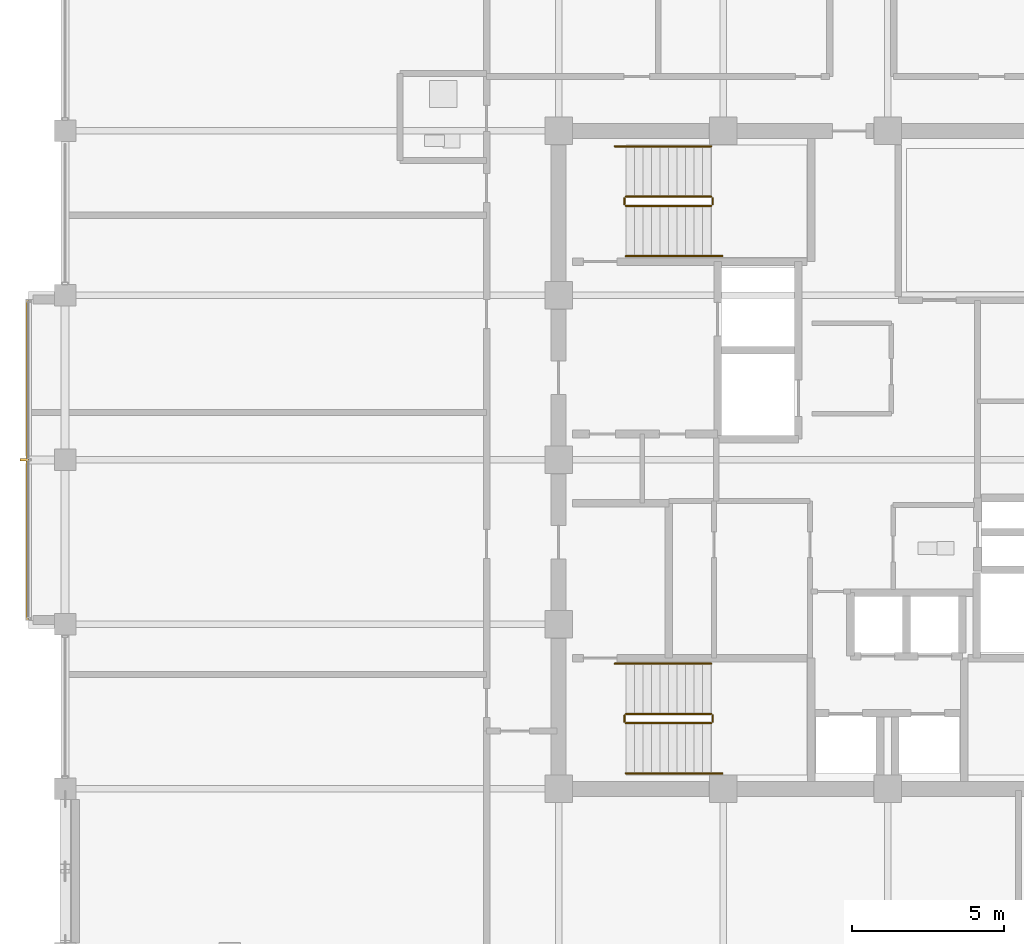
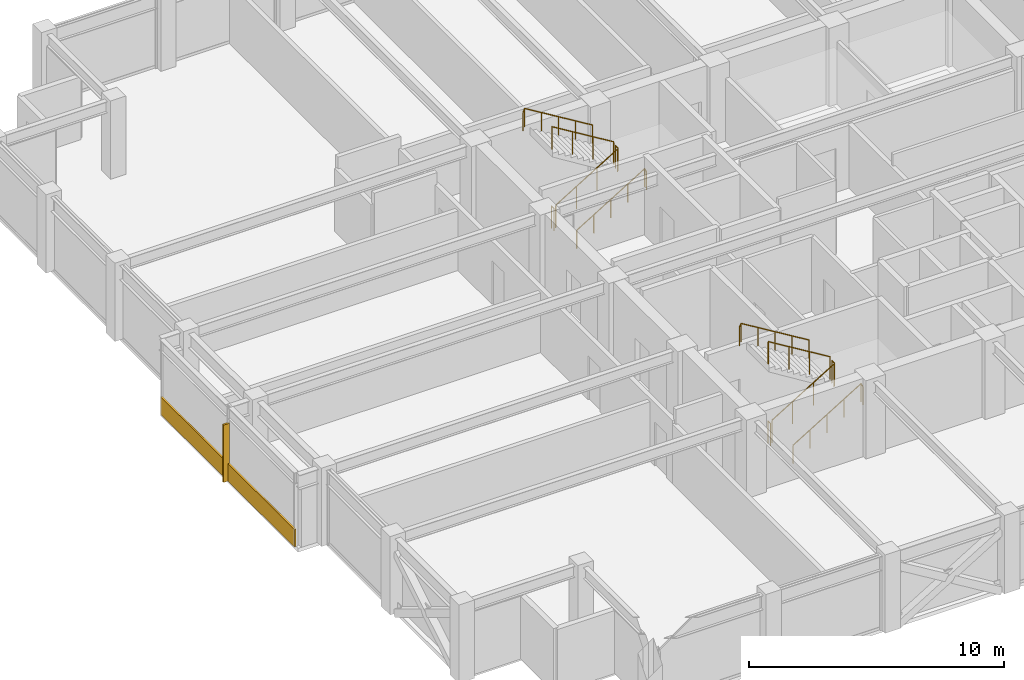
# One storey, part 30 of 32: 12 railings, 1 covering, 1 shading device.
"""IFC4 building model written with IfcOpenShell, lengths in metres."""

from ifc_helpers import new_model, si_unit, direction, frame, origin, origin_2d, place, context, subcontext, project, spatial, rectangle, circle, extrude, material, layer, layer_set, type_object, element, save


model = new_model("IFC4")

# Units and contexts
model_context = context("Model", 3, precision=1e-05, world=origin(), true_north=direction((0.0, 1.0)))
body_context = subcontext(model_context, "Body", "Model", "MODEL_VIEW")
ifc_project = project(units=[si_unit("LENGTHUNIT", "METRE"), si_unit("AREAUNIT", "SQUARE_METRE"), si_unit("VOLUMEUNIT", "CUBIC_METRE"), si_unit("PLANEANGLEUNIT", "RADIAN"), si_unit("MASSUNIT", "GRAM", prefix="KILO")], contexts=[model_context])

# Site, building, storey
site_placement = place(None, origin())
site = spatial("IfcSite", under=ifc_project, at=site_placement, CompositionType="ELEMENT")
building_placement = place(site_placement, origin())
building = spatial("IfcBuilding", under=site, at=building_placement, Name="Surkhivell Harbour Commons", CompositionType="ELEMENT")
storey_placement = place(building_placement, frame((0.0, 0.0, 311.25)))
storey = spatial("IfcBuildingStorey", under=building, at=storey_placement, Name="L81", CompositionType="ELEMENT", Elevation=311.25)

# Covering
ifc_material_1 = material(Name="Cobalt-azure enamelled aluminium cassette panel", Category="aluminium")
ifc_layer = layer(ifc_material_1, 0.072021484375)
ifc_layer_set = layer_set([ifc_layer], Name="Cobalt-azure enamelled aluminium cassette panel")
covering_type = type_object("IfcCoveringType", Name="COV-CLAD-COB", PredefinedType="CLADDING", material=ifc_layer_set)
covering_placement = place(storey_placement, frame((-28.239990234375, 0.0, 0.0), z_axis=(0.0, 0.0, 1.0), x_axis=(1.0, 0.0, 0.0)))
element("IfcCovering", 1, at=covering_placement, inside=storey, type_object=covering_type, Name="L81 Coloured-Panel Box Spandrel Cassette 02", PredefinedType="CLADDING", context=body_context, shape_type="SweptSolid", body=[
    extrude(rectangle(XDim=0.080078125, YDim=10.5, at=origin_2d()), origin(), (0.0, 0.0, 1.0), 0.840087890625),
])

# Railings
ifc_material_2 = material(Name="Galvanised and painted steel S355 guard rail", Category="steel")
railing_type_1 = type_object("IfcRailingType", Name="RAL-ST-GRD1100", PredefinedType="GUARDRAIL", material=ifc_material_2)
railing_1_placement = place(storey_placement, frame((-8.590087890625, 8.340087890625, 0.17041015625)))
element("IfcRailing", 2, at=railing_1_placement, inside=storey, type_object=railing_type_1, Name="L81 ST1 stair guard 1", PredefinedType="GUARDRAIL", context=body_context, shape_type="SweptSolid", body=[
    extrude(circle(Radius=0.02392578125, at=origin_2d()), frame((0.0, 0.0, 1.076171875), z_axis=(0.854169791009, 0.0, 0.51999420009), x_axis=(0.0, 1.0, 0.0)), (0.0, 0.0, 1.0), 3.278076171875),
    extrude(circle(Radius=0.02099609375, at=origin_2d()), origin(), (0.0, 0.0, 1.0), 1.052001953125),
    extrude(circle(Radius=0.02099609375, at=origin_2d()), frame((0.933349609375, 0.0, 0.568115234375)), (0.0, 0.0, 1.0), 1.052001953125),
    extrude(circle(Radius=0.02099609375, at=origin_2d()), frame((1.86669921875, 0.0, 1.136474609375)), (0.0, 0.0, 1.0), 1.052001953125),
    extrude(circle(Radius=0.02099609375, at=origin_2d()), frame((2.800048828125, 0.0, 1.70458984375)), (0.0, 0.0, 1.0), 1.052001953125),
])
railing_2_placement = place(storey_placement, frame((-5.739990234375, 8.389892578125, 1.875)))
element("IfcRailing", 3, at=railing_2_placement, inside=storey, type_object=railing_type_1, Name="L81 ST1 stair guard 2", PredefinedType="GUARDRAIL", context=body_context, shape_type="SweptSolid", body=[
    extrude(circle(Radius=0.02392578125, at=origin_2d()), frame((0.0, 0.0, 1.076171875), z_axis=(0.0, 1.0, 0.0), x_axis=(-1.0, 0.0, 0.0)), (0.0, 0.0, 1.0), 0.2001953125),
    extrude(circle(Radius=0.02099609375, at=origin_2d()), origin(), (0.0, 0.0, 1.0), 1.052001953125),
    extrude(circle(Radius=0.02099609375, at=origin_2d()), frame((0.0, 0.2001953125, 0.0)), (0.0, 0.0, 1.0), 1.052001953125),
])
railing_3_placement = place(storey_placement, frame((-5.7900390625, 8.639892578125, 2.04541015625)))
element("IfcRailing", 4, at=railing_3_placement, inside=storey, type_object=railing_type_1, Name="L81 ST1 stair guard 3", PredefinedType="GUARDRAIL", context=body_context, shape_type="SweptSolid", body=[
    extrude(circle(Radius=0.02392578125, at=origin_2d()), frame((0.0, 0.0, 1.076171875), z_axis=(-0.854169791009, 0.0, 0.51999420009), x_axis=(0.0, -1.0, 0.0)), (0.0, 0.0, 1.0), 3.278076171875),
    extrude(circle(Radius=0.02099609375, at=origin_2d()), origin(), (0.0, 0.0, 1.0), 1.052001953125),
    extrude(circle(Radius=0.02099609375, at=origin_2d()), frame((-0.933349609375, 0.0, 0.568115234375)), (0.0, 0.0, 1.0), 1.052001953125),
    extrude(circle(Radius=0.02099609375, at=origin_2d()), frame((-1.86669921875, 0.0, 1.136474609375)), (0.0, 0.0, 1.0), 1.052001953125),
    extrude(circle(Radius=0.02099609375, at=origin_2d()), frame((-2.800048828125, 0.0, 1.70458984375)), (0.0, 0.0, 1.0), 1.052001953125),
])
railing_4_placement = place(storey_placement, frame((-8.639892578125, 8.389892578125, 0.0)))
element("IfcRailing", 5, at=railing_4_placement, inside=storey, type_object=railing_type_1, Name="L81 ST1 stair guard 4", PredefinedType="GUARDRAIL", context=body_context, shape_type="SweptSolid", body=[
    extrude(circle(Radius=0.02392578125, at=origin_2d()), frame((0.0, 0.0, 1.076171875), z_axis=(0.0, 1.0, 0.0), x_axis=(-1.0, 0.0, 0.0)), (0.0, 0.0, 1.0), 0.2001953125),
    extrude(circle(Radius=0.02099609375, at=origin_2d()), origin(), (0.0, 0.0, 1.0), 1.052001953125),
    extrude(circle(Radius=0.02099609375, at=origin_2d()), frame((0.0, 0.2001953125, 0.0)), (0.0, 0.0, 1.0), 1.052001953125),
])
railing_5_placement = place(storey_placement, frame((-8.590087890625, -8.639892578125, 0.17041015625)))
element("IfcRailing", 6, at=railing_5_placement, inside=storey, type_object=railing_type_1, Name="L81 ST3 stair guard 1", PredefinedType="GUARDRAIL", context=body_context, shape_type="SweptSolid", body=[
    extrude(circle(Radius=0.02392578125, at=origin_2d()), frame((0.0, 0.0, 1.076171875), z_axis=(0.854169791009, 0.0, 0.51999420009), x_axis=(0.0, 1.0, 0.0)), (0.0, 0.0, 1.0), 3.278076171875),
    extrude(circle(Radius=0.02099609375, at=origin_2d()), origin(), (0.0, 0.0, 1.0), 1.052001953125),
    extrude(circle(Radius=0.02099609375, at=origin_2d()), frame((0.933349609375, 0.0, 0.568115234375)), (0.0, 0.0, 1.0), 1.052001953125),
    extrude(circle(Radius=0.02099609375, at=origin_2d()), frame((1.86669921875, 0.0, 1.136474609375)), (0.0, 0.0, 1.0), 1.052001953125),
    extrude(circle(Radius=0.02099609375, at=origin_2d()), frame((2.800048828125, 0.0, 1.70458984375)), (0.0, 0.0, 1.0), 1.052001953125),
])
railing_6_placement = place(storey_placement, frame((-5.739990234375, -8.590087890625, 1.875)))
element("IfcRailing", 7, at=railing_6_placement, inside=storey, type_object=railing_type_1, Name="L81 ST3 stair guard 2", PredefinedType="GUARDRAIL", context=body_context, shape_type="SweptSolid", body=[
    extrude(circle(Radius=0.02392578125, at=origin_2d()), frame((0.0, 0.0, 1.076171875), z_axis=(0.0, 1.0, 0.0), x_axis=(-1.0, 0.0, 0.0)), (0.0, 0.0, 1.0), 0.2001953125),
    extrude(circle(Radius=0.02099609375, at=origin_2d()), origin(), (0.0, 0.0, 1.0), 1.052001953125),
    extrude(circle(Radius=0.02099609375, at=origin_2d()), frame((0.0, 0.2001953125, 0.0)), (0.0, 0.0, 1.0), 1.052001953125),
])
railing_7_placement = place(storey_placement, frame((-5.7900390625, -8.340087890625, 2.04541015625)))
element("IfcRailing", 8, at=railing_7_placement, inside=storey, type_object=railing_type_1, Name="L81 ST3 stair guard 3", PredefinedType="GUARDRAIL", context=body_context, shape_type="SweptSolid", body=[
    extrude(circle(Radius=0.02392578125, at=origin_2d()), frame((0.0, 0.0, 1.076171875), z_axis=(-0.854169791009, 0.0, 0.51999420009), x_axis=(0.0, -1.0, 0.0)), (0.0, 0.0, 1.0), 3.278076171875),
    extrude(circle(Radius=0.02099609375, at=origin_2d()), origin(), (0.0, 0.0, 1.0), 1.052001953125),
    extrude(circle(Radius=0.02099609375, at=origin_2d()), frame((-0.933349609375, 0.0, 0.568115234375)), (0.0, 0.0, 1.0), 1.052001953125),
    extrude(circle(Radius=0.02099609375, at=origin_2d()), frame((-1.86669921875, 0.0, 1.136474609375)), (0.0, 0.0, 1.0), 1.052001953125),
    extrude(circle(Radius=0.02099609375, at=origin_2d()), frame((-2.800048828125, 0.0, 1.70458984375)), (0.0, 0.0, 1.0), 1.052001953125),
])
railing_8_placement = place(storey_placement, frame((-8.639892578125, -8.590087890625, 0.0)))
element("IfcRailing", 9, at=railing_8_placement, inside=storey, type_object=railing_type_1, Name="L81 ST3 stair guard 4", PredefinedType="GUARDRAIL", context=body_context, shape_type="SweptSolid", body=[
    extrude(circle(Radius=0.02392578125, at=origin_2d()), frame((0.0, 0.0, 1.076171875), z_axis=(0.0, 1.0, 0.0), x_axis=(-1.0, 0.0, 0.0)), (0.0, 0.0, 1.0), 0.2001953125),
    extrude(circle(Radius=0.02099609375, at=origin_2d()), origin(), (0.0, 0.0, 1.0), 1.052001953125),
    extrude(circle(Radius=0.02099609375, at=origin_2d()), frame((0.0, 0.2001953125, 0.0)), (0.0, 0.0, 1.0), 1.052001953125),
])
ifc_material_3 = material(Name="Brushed stainless steel S355 handrail", Category="steel")
railing_type_2 = type_object("IfcRailingType", Name="RAL-ST-HND900", PredefinedType="HANDRAIL", material=ifc_material_3)
railing_9_placement = place(storey_placement, frame((-8.590087890625, 6.68994140625, 0.17041015625)))
element("IfcRailing", 10, at=railing_9_placement, inside=storey, type_object=railing_type_2, Name="L81 ST1 stair handrail 1", PredefinedType="HANDRAIL", context=body_context, shape_type="SweptSolid", body=[
    extrude(circle(Radius=0.02392578125, at=origin_2d()), frame((0.0, 0.0, 0.8759765625), z_axis=(0.854177636135, 0.0, 0.519981313056), x_axis=(0.0, 1.0, 0.0)), (0.0, 0.0, 1.0), 3.60595703125),
    extrude(circle(Radius=0.02392578125, at=origin_2d()), frame((3.080078125, 0.0, 2.7509765625), z_axis=(0.425297416671, 0.0, -0.905053648892), x_axis=(0.0, 1.0, 0.0)), (0.0, 0.0, 1.0), 0.188232421875),
    extrude(circle(Radius=0.02099609375, at=origin_2d()), origin(), (0.0, 0.0, 1.0), 0.851806640625),
    extrude(circle(Radius=0.02099609375, at=origin_2d()), frame((0.77001953125, 0.0, 0.46875)), (0.0, 0.0, 1.0), 0.851806640625),
    extrude(circle(Radius=0.02099609375, at=origin_2d()), frame((1.5400390625, 0.0, 0.9375)), (0.0, 0.0, 1.0), 0.851806640625),
    extrude(circle(Radius=0.02099609375, at=origin_2d()), frame((2.31005859375, 0.0, 1.40625)), (0.0, 0.0, 1.0), 0.851806640625),
    extrude(circle(Radius=0.02099609375, at=origin_2d()), frame((3.080078125, 0.0, 1.875)), (0.0, 0.0, 1.0), 0.851806640625),
    extrude(circle(Radius=0.02099609375, at=origin_2d()), frame((3.16015625, 0.0, 1.70458984375)), (0.0, 0.0, 1.0), 0.851806640625),
])
railing_10_placement = place(storey_placement, frame((-5.7900390625, 10.2900390625, 2.04541015625)))
element("IfcRailing", 11, at=railing_10_placement, inside=storey, type_object=railing_type_2, Name="L81 ST1 stair handrail 2", PredefinedType="HANDRAIL", context=body_context, shape_type="SweptSolid", body=[
    extrude(circle(Radius=0.02392578125, at=origin_2d()), frame((0.0, 0.0, 0.8759765625), z_axis=(-0.854177636135, 0.0, 0.519981313056), x_axis=(0.0, -1.0, 0.0)), (0.0, 0.0, 1.0), 3.60595703125),
    extrude(circle(Radius=0.02392578125, at=origin_2d()), frame((-3.080078125, 0.0, 2.7509765625), z_axis=(-0.424234432967, 0.0, -0.905552398199), x_axis=(0.0, -1.0, 0.0)), (0.0, 0.0, 1.0), 0.188232421875),
    extrude(circle(Radius=0.02099609375, at=origin_2d()), origin(), (0.0, 0.0, 1.0), 0.851806640625),
    extrude(circle(Radius=0.02099609375, at=origin_2d()), frame((-0.77001953125, 0.0, 0.46875)), (0.0, 0.0, 1.0), 0.851806640625),
    extrude(circle(Radius=0.02099609375, at=origin_2d()), frame((-1.5400390625, 0.0, 0.9375)), (0.0, 0.0, 1.0), 0.851806640625),
    extrude(circle(Radius=0.02099609375, at=origin_2d()), frame((-2.31005859375, 0.0, 1.40625)), (0.0, 0.0, 1.0), 0.851806640625),
    extrude(circle(Radius=0.02099609375, at=origin_2d()), frame((-3.080078125, 0.0, 1.875)), (0.0, 0.0, 1.0), 0.851806640625),
    extrude(circle(Radius=0.02099609375, at=origin_2d()), frame((-3.159912109375, 0.0, 1.70458984375)), (0.0, 0.0, 1.0), 0.851806640625),
])
railing_11_placement = place(storey_placement, frame((-8.590087890625, -10.2900390625, 0.17041015625)))
element("IfcRailing", 12, at=railing_11_placement, inside=storey, type_object=railing_type_2, Name="L81 ST3 stair handrail 1", PredefinedType="HANDRAIL", context=body_context, shape_type="SweptSolid", body=[
    extrude(circle(Radius=0.02392578125, at=origin_2d()), frame((0.0, 0.0, 0.8759765625), z_axis=(0.854177636135, 0.0, 0.519981313056), x_axis=(0.0, 1.0, 0.0)), (0.0, 0.0, 1.0), 3.60595703125),
    extrude(circle(Radius=0.02392578125, at=origin_2d()), frame((3.080078125, 0.0, 2.7509765625), z_axis=(0.425297416671, 0.0, -0.905053648892), x_axis=(0.0, 1.0, 0.0)), (0.0, 0.0, 1.0), 0.188232421875),
    extrude(circle(Radius=0.02099609375, at=origin_2d()), origin(), (0.0, 0.0, 1.0), 0.851806640625),
    extrude(circle(Radius=0.02099609375, at=origin_2d()), frame((0.77001953125, 0.0, 0.46875)), (0.0, 0.0, 1.0), 0.851806640625),
    extrude(circle(Radius=0.02099609375, at=origin_2d()), frame((1.5400390625, 0.0, 0.9375)), (0.0, 0.0, 1.0), 0.851806640625),
    extrude(circle(Radius=0.02099609375, at=origin_2d()), frame((2.31005859375, 0.0, 1.40625)), (0.0, 0.0, 1.0), 0.851806640625),
    extrude(circle(Radius=0.02099609375, at=origin_2d()), frame((3.080078125, 0.0, 1.875)), (0.0, 0.0, 1.0), 0.851806640625),
    extrude(circle(Radius=0.02099609375, at=origin_2d()), frame((3.16015625, 0.0, 1.70458984375)), (0.0, 0.0, 1.0), 0.851806640625),
])
railing_12_placement = place(storey_placement, frame((-5.7900390625, -6.68994140625, 2.04541015625)))
element("IfcRailing", 13, at=railing_12_placement, inside=storey, type_object=railing_type_2, Name="L81 ST3 stair handrail 2", PredefinedType="HANDRAIL", context=body_context, shape_type="SweptSolid", body=[
    extrude(circle(Radius=0.02392578125, at=origin_2d()), frame((0.0, 0.0, 0.8759765625), z_axis=(-0.854177636135, 0.0, 0.519981313056), x_axis=(0.0, -1.0, 0.0)), (0.0, 0.0, 1.0), 3.60595703125),
    extrude(circle(Radius=0.02392578125, at=origin_2d()), frame((-3.080078125, 0.0, 2.7509765625), z_axis=(-0.424234432967, 0.0, -0.905552398199), x_axis=(0.0, -1.0, 0.0)), (0.0, 0.0, 1.0), 0.188232421875),
    extrude(circle(Radius=0.02099609375, at=origin_2d()), origin(), (0.0, 0.0, 1.0), 0.851806640625),
    extrude(circle(Radius=0.02099609375, at=origin_2d()), frame((-0.77001953125, 0.0, 0.46875)), (0.0, 0.0, 1.0), 0.851806640625),
    extrude(circle(Radius=0.02099609375, at=origin_2d()), frame((-1.5400390625, 0.0, 0.9375)), (0.0, 0.0, 1.0), 0.851806640625),
    extrude(circle(Radius=0.02099609375, at=origin_2d()), frame((-2.31005859375, 0.0, 1.40625)), (0.0, 0.0, 1.0), 0.851806640625),
    extrude(circle(Radius=0.02099609375, at=origin_2d()), frame((-3.080078125, 0.0, 1.875)), (0.0, 0.0, 1.0), 0.851806640625),
    extrude(circle(Radius=0.02099609375, at=origin_2d()), frame((-3.159912109375, 0.0, 1.70458984375)), (0.0, 0.0, 1.0), 0.851806640625),
])

# Shading device
ifc_material_4 = material(Name="Champagne anodised aluminium solar fin", Category="aluminium")
shading_device_type = type_object("IfcShadingDeviceType", Name="SHD-FIN-SLIM", PredefinedType="USERDEFINED", material=ifc_material_4)
shading_device_placement = place(storey_placement, frame((-28.340087890625, 0.0, 0.0048828125), z_axis=(0.0, 0.0, 1.0), x_axis=(1.0, 0.0, 0.0)))
element("IfcShadingDevice", 14, at=shading_device_placement, inside=storey, type_object=shading_device_type, Name="L81 Coloured-Box Solar Fin 02", ObjectType="FIN", PredefinedType="USERDEFINED", context=body_context, shape_type="SweptSolid", body=[
    extrude(rectangle(XDim=0.280029296875, YDim=0.080078125, at=origin_2d()), origin(), (0.0, 0.0, 1.0), 2.75),
])

save(model, "model.ifc")
